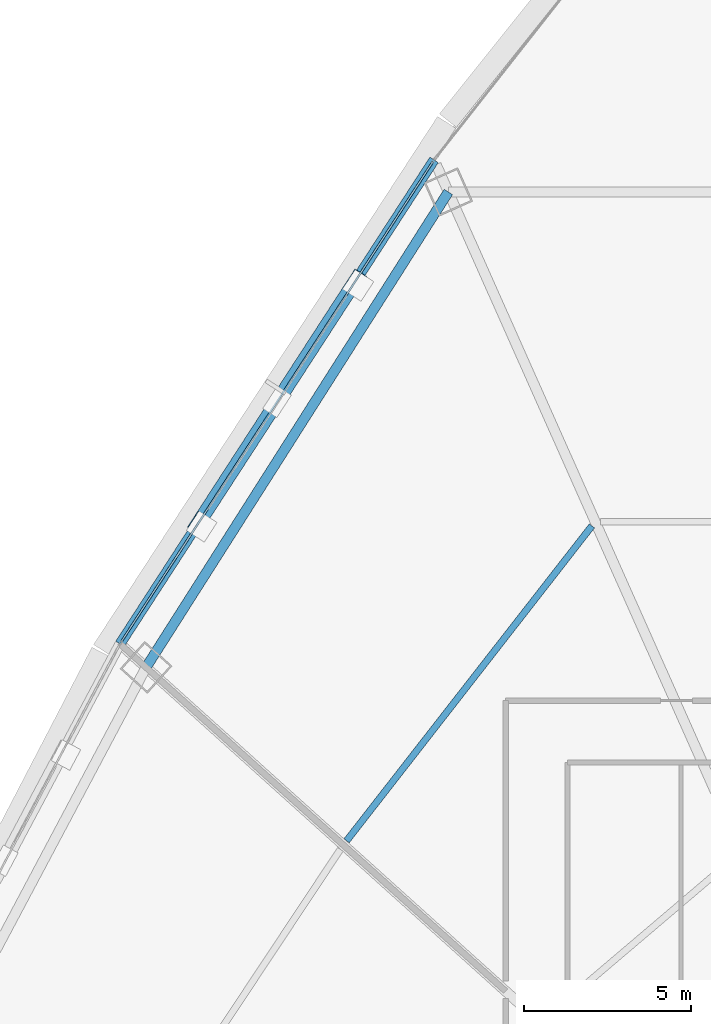
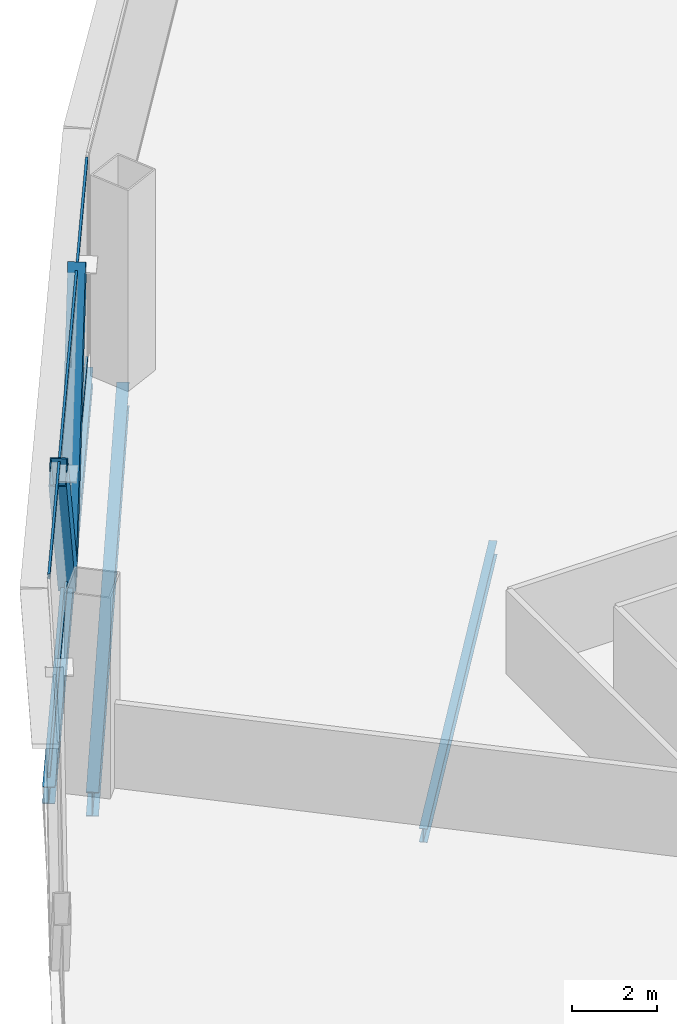
# One storey, part 17 of 41: 4 members, 3 beams, 1 element without a shape of its own.
"""IFC4 building model written with IfcOpenShell, lengths in metres."""

from ifc_helpers import new_model, si_unit, direction, frame, origin, origin_2d, place, context, subcontext, project, spatial, hollow_rectangle, i_section, extrude, source, transform, mapped, material, layer, layer_set, material_profile, profile_set, type_object, element, aggregate, save


model = new_model("IFC4")

# Units and contexts
model_context = context("Model", 3, precision=1e-05, world=origin(), true_north=direction((0.0, 1.0)))
body_context = subcontext(model_context, "Body", "Model", "MODEL_VIEW")
ifc_project = project(units=[si_unit("LENGTHUNIT", "METRE"), si_unit("AREAUNIT", "SQUARE_METRE"), si_unit("VOLUMEUNIT", "CUBIC_METRE"), si_unit("PLANEANGLEUNIT", "RADIAN"), si_unit("MASSUNIT", "GRAM", prefix="KILO"), si_unit("THERMODYNAMICTEMPERATUREUNIT", "KELVIN"), si_unit("POWERUNIT", "WATT")], contexts=[model_context])

# Site, building, storey
site_placement = place(None, origin())
site = spatial("IfcSite", under=ifc_project, at=site_placement, CompositionType="ELEMENT")
building_placement = place(site_placement, origin())
building = spatial("IfcBuilding", under=site, at=building_placement, Name="Yunzhuo Pagoda Commons", CompositionType="ELEMENT")
storey_placement = place(building_placement, frame((0.0, 0.0, 70.330078125)))
storey = spatial("IfcBuildingStorey", under=building, at=storey_placement, Name="L18", CompositionType="ELEMENT", Elevation=70.330078125)

# Beams
ifc_material_1 = material(Name="Structural steel Q355B", Category="steel")
ifc_material_profile_1 = material_profile(ifc_material_1, i_section(OverallWidth=0.300048828125, OverallDepth=0.699951171875, WebThickness=0.012939453125, FlangeThickness=0.02392578125, at=origin_2d()), Name="Structural steel Q355B")
ifc_profile_set_1 = profile_set([ifc_material_profile_1], Name="Structural steel Q355B")
beam_type_1 = type_object("IfcBeamType", Name="B-RG1 Beam HN 700x300x13x24", PredefinedType="BEAM", material=ifc_profile_set_1)
shared_shape_1 = source(origin(), body_context, "Body", "SweptSolid", [
    extrude(i_section(OverallWidth=0.300048828125, OverallDepth=0.699951171875, WebThickness=0.012939453125, FlangeThickness=0.02392578125, at=origin_2d()), origin(), (0.0, 0.0, 1.0), 16.843994140625),
])
beam_1_placement = place(storey_placement, frame((31.38916015625, 71.008544921875, -0.610107421875), z_axis=(-0.536558458992, -0.843863152462, 0.0), x_axis=(0.843863152462, -0.536558458992, 0.0)))
element("IfcBeam", 1, at=beam_1_placement, inside=storey, type_object=beam_type_1, Name="L18 column-ring beam 9", PredefinedType="BEAM", context=body_context, shape_type="MappedRepresentation", body=[
    mapped(shared_shape_1, transform((0.0, 0.0, 0.0), scale=1.0)),
])
ifc_material_profile_2 = material_profile(ifc_material_1, i_section(OverallWidth=0.199951171875, OverallDepth=0.39990234375, WebThickness=0.008056640625, FlangeThickness=0.012939453125, at=origin_2d()), Name="Structural steel Q355B")
ifc_profile_set_2 = profile_set([ifc_material_profile_2], Name="Structural steel Q355B")
beam_type_2 = type_object("IfcBeamType", Name="B-JS1 Joist HN 400x200x8x13", PredefinedType="JOIST", material=ifc_profile_set_2)
shared_shape_2 = source(origin(), body_context, "Body", "SweptSolid", [
    extrude(i_section(OverallWidth=0.199951171875, OverallDepth=0.39990234375, WebThickness=0.008056640625, FlangeThickness=0.012939453125, at=origin_2d()), origin(), (0.0, 0.0, 1.0), 11.934326171875),
])
beam_2_placement = place(storey_placement, frame((35.680908203125, 61.0244140625, -0.4599609375), z_axis=(-0.614546587023, -0.788880531119, 0.0), x_axis=(0.788880531119, -0.614546587023, 0.0)))
element("IfcBeam", 2, at=beam_2_placement, inside=storey, type_object=beam_type_2, Name="L18 composite ring joist 2.9", PredefinedType="JOIST", context=body_context, shape_type="MappedRepresentation", body=[
    mapped(shared_shape_2, transform((0.0, 0.0, 0.0), scale=1.0)),
])
ifc_material_profile_3 = material_profile(ifc_material_1, i_section(OverallWidth=0.300048828125, OverallDepth=0.488037109375, WebThickness=0.010986328125, FlangeThickness=0.01806640625, at=origin_2d()), Name="Structural steel Q355B")
ifc_profile_set_3 = profile_set([ifc_material_profile_3], Name="Structural steel Q355B")
beam_type_3 = type_object("IfcBeamType", Name="B-SP1 Beam HM 488x300x11x18", PredefinedType="BEAM", material=ifc_profile_set_3)
shared_shape_3 = source(origin(), body_context, "Body", "SweptSolid", [
    extrude(i_section(OverallWidth=0.300048828125, OverallDepth=0.488037109375, WebThickness=0.010986328125, FlangeThickness=0.01806640625, at=origin_2d()), origin(), (0.0, 0.0, 1.0), 17.251220703125),
])
beam_3_placement = place(storey_placement, frame((30.962158203125, 71.9677734375, -0.504150390625), z_axis=(-0.544376852456, -0.838840773037, 0.0), x_axis=(0.838840773037, -0.544376852456, 0.0)))
element("IfcBeam", 3, at=beam_3_placement, inside=storey, type_object=beam_type_3, Name="L18 facade edge spandrel beam F3.1", PredefinedType="BEAM", context=body_context, shape_type="MappedRepresentation", body=[
    mapped(shared_shape_3, transform((0.0, 0.0, 0.0), scale=1.0)),
])

# Members
ifc_material_2 = material(Name="Structural steel Q420B", Category="steel")
ifc_material_profile_4 = material_profile(ifc_material_2, hollow_rectangle(XDim=0.419921875, YDim=0.719970703125, WallThickness=0.028076171875, at=origin_2d()), Name="Structural steel Q420B")
ifc_profile_set_4 = profile_set([ifc_material_profile_4], Name="Structural steel Q420B")
member_type_1 = type_object("IfcMemberType", Name="M-DL1 Brace BOX 720x420x28", PredefinedType="BRACE", material=ifc_profile_set_4)
shared_shape_4 = source(origin(), body_context, "Body", "SweptSolid", [
    extrude(hollow_rectangle(XDim=0.419921875, YDim=0.719970703125, WallThickness=0.028076171875, at=origin_2d()), origin(), (0.0, 0.0, 1.0), 7.41357421875),
])
for number, where, z_axis, x_axis, name in (
    (4, (26.2666015625, 64.732177734375, -0.260009765625), (0.316667064448, 0.488008447178, 0.813369366141), (-0.83886627845, 0.544337548659, 0.0), "L18 facade diamond brace F3.1L"),
    (5, (26.2666015625, 64.732177734375, -0.260009765625), (-0.316701782363, -0.487978268801, 0.813373954725), (0.838823653709, -0.544403231051, 0.0), "L18 facade diamond brace F3.1R"),
):
    element("IfcMember", number, at=place(storey_placement, frame(where, z_axis=z_axis, x_axis=x_axis)), inside=storey, type_object=member_type_1, Name=name, PredefinedType="BRACE", context=body_context, shape_type="MappedRepresentation", body=[
        mapped(shared_shape_4, transform((0.0, 0.0, 0.0), scale=1.0)),
    ])

# Curtain wall, members
ifc_material_3 = material(Name="Anodized aluminium 6063-T6", Category="aluminium")
ifc_layer = layer(ifc_material_3, 0.1650390625)
ifc_layer_set = layer_set([ifc_layer], Name="Anodized aluminium 6063-T6")
curtain_wall_type = type_object("IfcCurtainWallType", Name="CW-LOW Low-Zone Ribbon Curtain Wall", PredefinedType="NOTDEFINED", material=ifc_layer_set)
curtain_wall_placement = place(storey_placement, origin())
curtain_wall = element("IfcCurtainWall", 6, at=curtain_wall_placement, inside=storey, type_object=curtain_wall_type, Name="L18 curtain wall CW-L18-F3B2", PredefinedType="NOTDEFINED")
ifc_material_profile_5 = material_profile(ifc_material_3, hollow_rectangle(XDim=0.06005859375, YDim=0.139892578125, WallThickness=0.00341796875, at=origin_2d()), Name="Anodized aluminium 6063-T6")
ifc_profile_set_5 = profile_set([ifc_material_profile_5], Name="Anodized aluminium 6063-T6")
member_type_2 = type_object("IfcMemberType", Name="CW-LOW-T Transom RHS 140x60x3.5", PredefinedType="USERDEFINED", material=ifc_profile_set_5)
shared_shape_5 = source(origin(), body_context, "Body", "SweptSolid", [
    extrude(hollow_rectangle(XDim=0.06005859375, YDim=0.139892578125, WallThickness=0.00341796875, at=origin_2d()), origin(), (0.0, 0.0, 1.0), 17.120849609375),
])
member_1_placement = place(storey_placement, frame((30.9267578125, 71.9130859375, 0.030029296875), z_axis=(-0.544384232902, -0.838835983353, 0.0), x_axis=(0.838835983353, -0.544384232902, 0.0)))
member_1 = element("IfcMember", 7, at=member_1_placement, type_object=member_type_2, Name="CW transom 1.1", ObjectType="TRANSOM", PredefinedType="USERDEFINED", context=body_context, shape_type="MappedRepresentation", body=[
    mapped(shared_shape_5, transform((0.0, 0.0, 0.0), scale=1.0)),
])
member_2_placement = place(storey_placement, frame((30.9267578125, 71.9130859375, 5.739990234375), z_axis=(-0.544384232902, -0.838835983353, 0.0), x_axis=(0.838835983353, -0.544384232902, 0.0)))
member_2 = element("IfcMember", 8, at=member_2_placement, type_object=member_type_2, Name="CW transom 1.2", ObjectType="TRANSOM", PredefinedType="USERDEFINED", context=body_context, shape_type="MappedRepresentation", body=[
    mapped(shared_shape_5, transform((0.0, 0.0, 0.0), scale=1.0)),
])
aggregate(curtain_wall, [member_1, member_2])

save(model, "model.ifc")
